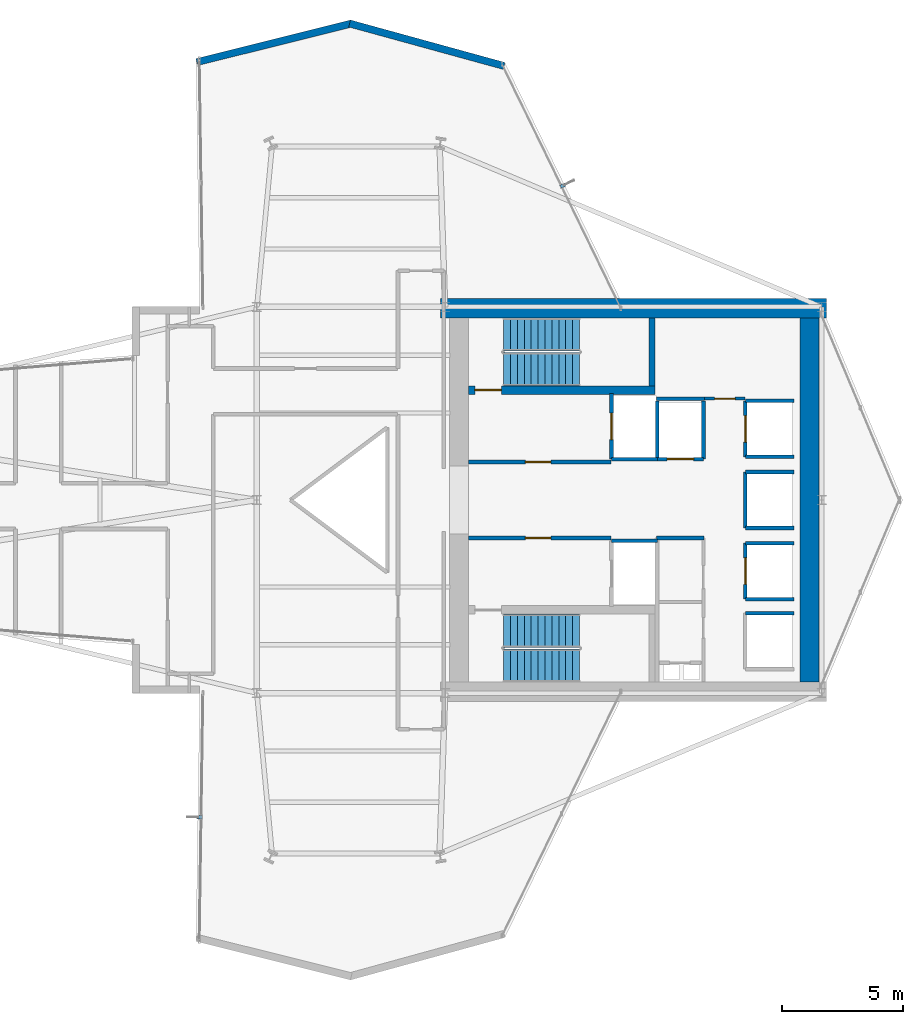
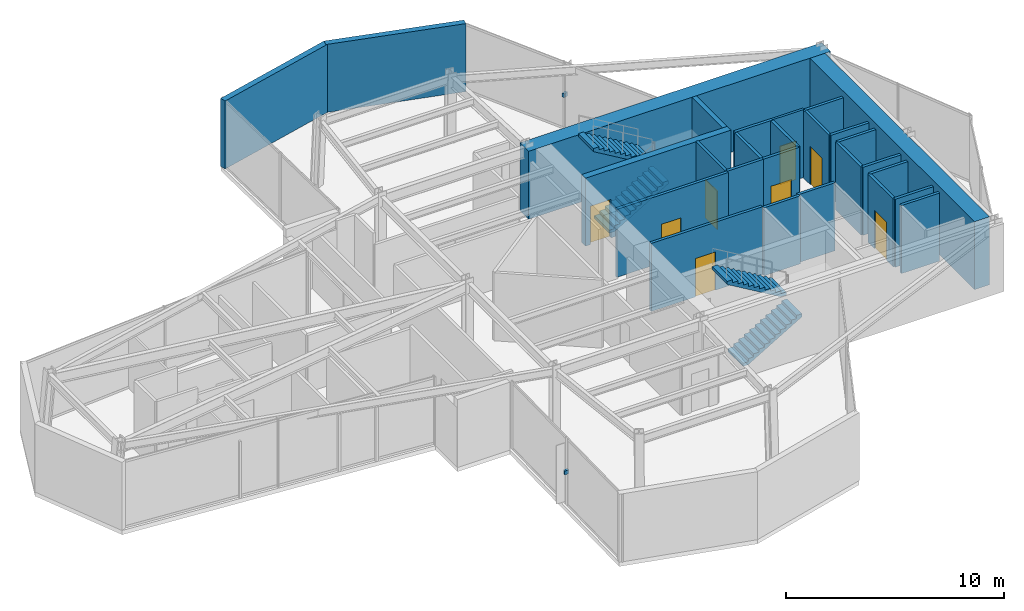
# One storey, part 23 of 24: 27 walls, 8 doors, 4 stair flights, 2 discrete accessories, 8 openings, 2 elements without a shape of their own.
"""IFC4 building model written with IfcOpenShell, lengths in metres."""

import ifcopenshell
import ifcopenshell.guid

model = None  # the IFC model being written
_history = None  # IfcOwnerHistory: only IFC2X3 demands one
_inside = {}  # id of a spatial element -> (the spatial element, [elements in it])
_under = {}  # id of a project, library or spatial element -> (it, [spatial elements below it])
_declared = {}  # id of a project -> (the project, [libraries it declares])
_typed = {}  # id of a type object -> (the type object, [elements of that type])
_made_of = {}  # id of a material, layer set ... -> (it, [elements and type objects made of it])


def new_model(schema):
    """Start an empty IFC model of exactly this schema.

    Asked for "IFC4X3", IfcOpenShell would pick the latest addendum, in which some entities
    have other attributes; the version numbers below select the first issue.
    IFC2X3 requires an IfcOwnerHistory on every rooted entity: one is made here for all.
    """
    global model, _history
    if schema == "IFC4X3":
        model = ifcopenshell.file(schema_version=(4, 3, 0, 0))
    else:
        model = ifcopenshell.file(schema=schema)
    _inside.clear()
    _under.clear()
    _declared.clear()
    _typed.clear()
    _made_of.clear()
    _history = None
    if model.schema == "IFC2X3":
        org = make("IfcOrganization", Name="unknown")
        user = make(
            "IfcPersonAndOrganization",
            ThePerson=make("IfcPerson", FamilyName="unknown"),
            TheOrganization=org,
        )
        app = make(
            "IfcApplication",
            ApplicationDeveloper=org,
            Version="unknown",
            ApplicationFullName="unknown",
            ApplicationIdentifier="unknown",
        )
        _history = make(
            "IfcOwnerHistory",
            OwningUser=user,
            OwningApplication=app,
            ChangeAction="ADDED",
            CreationDate=0,
        )
    return model


def make(cls, **values):
    """One entity of the class cls with the attributes given. An attribute that is None is left unset."""
    return model.create_entity(
        cls, **{name: value for name, value in values.items() if value is not None}
    )


def rooted(cls, **values):
    """An entity with a GlobalId (a new one), such as an element, a storey or a relation."""
    return make(cls, GlobalId=ifcopenshell.guid.new(), OwnerHistory=_history, **values)


def si_unit(unit_type, name, prefix=None):
    """IfcSIUnit, for example si_unit("LENGTHUNIT", "METRE", prefix="MILLI")."""
    return make("IfcSIUnit", UnitType=unit_type, Prefix=prefix, Name=name)


def assignment(units):
    """IfcUnitAssignment: the units of a project."""
    return None if units is None else make("IfcUnitAssignment", Units=units)


def point(xyz):
    """IfcCartesianPoint."""
    return None if xyz is None else make("IfcCartesianPoint", Coordinates=xyz)


def direction(xyz):
    """IfcDirection."""
    return None if xyz is None else make("IfcDirection", DirectionRatios=xyz)


def frame(location, z_axis=None, x_axis=None):
    """IfcAxis2Placement3D, a coordinate frame: its origin and axes. An axis left out is left unset."""
    return make(
        "IfcAxis2Placement3D",
        Location=point(location),
        Axis=direction(z_axis),
        RefDirection=direction(x_axis),
    )


def frame_2d(location, x_axis=None):
    """IfcAxis2Placement2D, a coordinate frame in the plane: its origin and x axis."""
    return make(
        "IfcAxis2Placement2D", Location=point(location), RefDirection=direction(x_axis)
    )


def origin():
    """The frame at (0, 0, 0) with its axes left unset."""
    return frame((0.0, 0.0, 0.0))


def origin_2d():
    """The frame at (0, 0) in the plane with its x axis left unset."""
    return frame_2d((0.0, 0.0))


def place(relative_to, where):
    """IfcLocalPlacement: puts the frame where relative to a parent placement (None: the world)."""
    return make(
        "IfcLocalPlacement", PlacementRelTo=relative_to, RelativePlacement=where
    )


def context(
    kind, dimensions, precision=None, world=None, true_north=None, identifier=None
):
    """IfcGeometricRepresentationContext, for example the 3D "Model" context."""
    return make(
        "IfcGeometricRepresentationContext",
        ContextIdentifier=identifier,
        ContextType=kind,
        CoordinateSpaceDimension=dimensions,
        Precision=precision,
        WorldCoordinateSystem=world,
        TrueNorth=true_north,
    )


def subcontext(parent, identifier, kind, view, scale=None):
    """IfcGeometricRepresentationSubContext, for example "Body" below "Model"."""
    return make(
        "IfcGeometricRepresentationSubContext",
        ContextIdentifier=identifier,
        ContextType=kind,
        ParentContext=parent,
        TargetScale=scale,
        TargetView=view,
    )


def project(units=None, contexts=None):
    """IfcProject with its units and contexts."""
    return rooted(
        "IfcProject",
        Name="project",
        RepresentationContexts=contexts,
        UnitsInContext=assignment(units),
    )


def spatial(cls, under=None, at=None, **own):
    """A site, building, storey or space (cls), placed at a placement, below another one or the project."""
    s = rooted(cls, ObjectPlacement=at, **own)
    if under is not None:
        _under.setdefault(under.id(), (under, []))[1].append(s)
    return s


def polyline(points):
    """IfcPolyline through the points."""
    return make("IfcPolyline", Points=[point(p) for p in points])


def profile(cls, at=None, kind="AREA", **sizes):
    """A parametric profile (cls). Its sizes go by their IFC names, for example OverallWidth=200.0."""
    return make(cls, ProfileType=kind, Position=at, **sizes)


def rectangle(**sizes):
    """IfcRectangleProfileDef."""
    return profile("IfcRectangleProfileDef", **sizes)


def outline(outer, holes=None, kind="AREA"):
    """IfcArbitraryClosedProfileDef: a profile drawn as a closed curve; with holes, ...WithVoids."""
    if holes is None:
        return make("IfcArbitraryClosedProfileDef", ProfileType=kind, OuterCurve=outer)
    return make(
        "IfcArbitraryProfileDefWithVoids",
        ProfileType=kind,
        OuterCurve=outer,
        InnerCurves=holes,
    )


def extrude(swept, where, along, depth):
    """IfcExtrudedAreaSolid: the profile swept, set in the frame where, extruded along a direction by depth."""
    return make(
        "IfcExtrudedAreaSolid",
        SweptArea=swept,
        Position=where,
        ExtrudedDirection=direction(along),
        Depth=depth,
    )


def shape(context_of_items, identifier, shape_type, items):
    """IfcShapeRepresentation: the items that make up one representation, for example the "Body"."""
    return make(
        "IfcShapeRepresentation",
        ContextOfItems=context_of_items,
        RepresentationIdentifier=identifier,
        RepresentationType=shape_type,
        Items=items,
    )


def material(Name=None, Category=None):
    """IfcMaterial."""
    return make("IfcMaterial", Name=Name, Category=Category)


def layer(
    of_material, thickness, ventilated=None, Name=None, Category=None, Priority=None
):
    """IfcMaterialLayer: one layer of a wall or slab, of a material (None: an air gap)."""
    return make(
        "IfcMaterialLayer",
        Material=of_material,
        LayerThickness=thickness,
        IsVentilated=ventilated,
        Name=Name,
        Category=Category,
        Priority=Priority,
    )


def layer_set(layers, Name=None):
    """IfcMaterialLayerSet."""
    return make("IfcMaterialLayerSet", MaterialLayers=layers, LayerSetName=Name)


def made_of(thing, what):
    """Note that an element or type object is made of a material, layer set ...; save() writes the relation."""
    if what is not None:
        _made_of.setdefault(what.id(), (what, []))[1].append(thing)
    return thing


def type_object(cls, material=None, **own):
    """A type object (cls), such as IfcWallType, which elements share."""
    return made_of(rooted(cls, **own), material)


def element(
    cls,
    number,
    at=None,
    inside=None,
    cuts=None,
    type_object=None,
    material=None,
    context=None,
    identifier="Body",
    shape_type=None,
    held_by="IfcProductDefinitionShape",
    body=None,
    shapes=None,
    **own,
):
    """One element of the class cls, such as IfcWall. Its Tag is "e" and its number.

    at: its placement. inside: the storey or other place that contains it. cuts: it is an
    opening in that element (IfcRelVoidsElement). A single representation is given by context,
    identifier, shape_type and body (its items); several are given by shapes. held_by: the class
    of the entity that holds the representations. save() writes the other relations.
    """
    e = rooted(cls, Tag="e%d" % number, ObjectPlacement=at, **own)
    if body is not None:
        shapes = [shape(context, identifier, shape_type, body)]
    if shapes is not None:
        e.Representation = make(held_by, Representations=shapes)
    if inside is not None:
        _inside.setdefault(inside.id(), (inside, []))[1].append(e)
    if cuts is not None:
        rooted(
            "IfcRelVoidsElement", RelatingBuildingElement=cuts, RelatedOpeningElement=e
        )
    if type_object is not None:
        _typed.setdefault(type_object.id(), (type_object, []))[1].append(e)
    return made_of(e, material)


def fill(opening, filler):
    """IfcRelFillsElement: the door or window that sits in an opening."""
    return rooted(
        "IfcRelFillsElement",
        RelatingOpeningElement=opening,
        RelatedBuildingElement=filler,
    )


def aggregate(whole, parts):
    """IfcRelAggregates: a whole, such as a stair, and the parts it consists of."""
    return rooted("IfcRelAggregates", RelatingObject=whole, RelatedObjects=parts)


def save(model, path):
    """Write the relations noted so far, then the file.

    IfcRelAggregates (storeys below a building ...), IfcRelContainedInSpatialStructure (elements
    in a storey), IfcRelDefinesByType, IfcRelAssociatesMaterial and IfcRelDeclares: one each for
    every whole, place, type object, material and project.
    """
    for whole, parts in _under.values():
        aggregate(whole, parts)
    for where, things in _inside.values():
        rooted(
            "IfcRelContainedInSpatialStructure",
            RelatedElements=things,
            RelatingStructure=where,
        )
    for kind, things in _typed.values():
        rooted("IfcRelDefinesByType", RelatedObjects=things, RelatingType=kind)
    for what, things in _made_of.values():
        rooted("IfcRelAssociatesMaterial", RelatedObjects=things, RelatingMaterial=what)
    for by, libraries in _declared.values():
        rooted("IfcRelDeclares", RelatingContext=by, RelatedDefinitions=libraries)
    model.write(path)


model = new_model("IFC4")

# Units and contexts
model_context = context("Model", 3, precision=1e-05, world=origin(), true_north=direction((0.0, 1.0)))
body_context = subcontext(model_context, "Body", "Model", "MODEL_VIEW")
ifc_project = project(units=[si_unit("LENGTHUNIT", "METRE"), si_unit("AREAUNIT", "SQUARE_METRE"), si_unit("VOLUMEUNIT", "CUBIC_METRE"), si_unit("PLANEANGLEUNIT", "RADIAN"), si_unit("MASSUNIT", "GRAM", prefix="KILO")], contexts=[model_context])

# Site, building, storey
site_placement = place(None, origin())
site = spatial("IfcSite", under=ifc_project, at=site_placement, CompositionType="ELEMENT")
building_placement = place(site_placement, origin())
building = spatial("IfcBuilding", under=site, at=building_placement, Name="Veymaron Broadcast Tower", CompositionType="ELEMENT")
storey_placement = place(building_placement, frame((0.0, 0.0, 124.949951171875)))
storey = spatial("IfcBuildingStorey", under=building, at=storey_placement, Name="L28", CompositionType="ELEMENT", Elevation=124.949951171875)

# Walls
ifc_material_1 = material(Name="Precast concrete C40/50 with mineral-wool insulation", Category="concrete")
ifc_layer_1 = layer(ifc_material_1, 0.300048828125)
ifc_layer_set_1 = layer_set([ifc_layer_1], Name="Precast concrete C40/50 with mineral-wool insulation")
wall_type_1 = type_object("IfcWallType", Name="WALL-EXT-300", PredefinedType="STANDARD", material=ifc_layer_set_1)
wall_1_placement = place(storey_placement, frame((41.445068359375, 41.985107421875, 0.0), z_axis=(0.0, 0.0, 1.0), x_axis=(-0.96422724659, 0.265077001894, 0.0)))
element("IfcWall", 1, at=wall_1_placement, inside=storey, type_object=wall_type_1, Name="L28 notched corner facade pier 6-1", PredefinedType="STANDARD", context=body_context, shape_type="SweptSolid", body=[
    extrude(rectangle(XDim=6.6396484375, YDim=0.300048828125, at=frame_2d((3.31982421875, 0.0))), origin(), (0.0, 0.0, 1.0), 3.81005859375),
])
wall_2_placement = place(storey_placement, frame((35.114013671875, 43.744140625, 0.0), z_axis=(0.0, 0.0, 1.0), x_axis=(-0.970168608955, -0.242431165897, 0.0)))
element("IfcWall", 2, at=wall_2_placement, inside=storey, type_object=wall_type_1, Name="L28 notched corner facade pier 7-1", PredefinedType="STANDARD", context=body_context, shape_type="SweptSolid", body=[
    extrude(rectangle(XDim=6.59912109375, YDim=0.300048828125, at=frame_2d((3.299560546875, 0.0))), origin(), (0.0, 0.0, 1.0), 3.81005859375),
])

# Wall, opening, door
ifc_material_2 = material(Name="Gypsum fireboard and steel stud framing", Category="steel")
ifc_layer_2 = layer(ifc_material_2, 0.14990234375)
ifc_layer_set_2 = layer_set([ifc_layer_2], Name="Gypsum fireboard and steel stud framing")
wall_type_2 = type_object("IfcWallType", Name="WALL-FIRE-150", PredefinedType="PARTITIONING", material=ifc_layer_set_2)
wall_3_placement = place(storey_placement, frame((39.97998046875, 25.574951171875, 0.0), z_axis=(0.0, 0.0, 1.0), x_axis=(1.0, 0.0, 0.0)))
wall_3 = element("IfcWall", 3, at=wall_3_placement, inside=storey, type_object=wall_type_2, Name="L28 partition IW-L28-FFLN-S", PredefinedType="PARTITIONING", context=body_context, shape_type="SweptSolid", body=[
    extrude(rectangle(XDim=5.89990234375, YDim=0.14990234375, at=frame_2d((2.949951171875, 0.0))), origin(), (0.0, 0.0, 1.0), 3.81005859375),
])
opening_1_placement = place(wall_3_placement, frame((2.35009765625, 0.0, 0.0)))
opening_1 = element("IfcOpeningElement", 4, at=opening_1_placement, cuts=wall_3, Name="Opening ID-FL1", PredefinedType="OPENING", context=body_context, shape_type="SweptSolid", body=[
    extrude(rectangle(XDim=1.050048828125, YDim=2.14990234375, at=frame_2d((0.52490234375, 1.074951171875))), frame((0.0, 0.0849609375, 0.0), z_axis=(0.0, -1.0, 0.0), x_axis=(1.0, 0.0, 0.0)), (0.0, 0.0, 1.0), 0.169921875),
])
ifc_material_3 = material(Name="Fire-rated painted hollow steel ASTM A653", Category="steel")
door_type_1 = type_object("IfcDoorType", Name="DOOR-FIRE-1050", OperationType="NOTDEFINED", PredefinedType="DOOR", material=ifc_material_3)
door_1_placement = place(opening_1_placement, origin())
door_1 = element("IfcDoor", 5, at=door_1_placement, inside=storey, type_object=door_type_1, Name="L28 door DR-L28-FFLN", OperationType="SINGLE_SWING_LEFT", OverallHeight=2.14990234375, OverallWidth=1.050048828125, PredefinedType="DOOR", context=body_context, shape_type="SweptSolid", body=[
    extrude(rectangle(XDim=1.050048828125, YDim=2.14990234375, at=frame_2d((0.52490234375, 1.074951171875))), frame((0.0, 0.02490234375, 0.0), z_axis=(0.0, -1.0, 0.0), x_axis=(1.0, 0.0, 0.0)), (0.0, 0.0, 1.0), 0.050048828125),
])
fill(opening_1, door_1)

wall_4_placement = place(storey_placement, frame((39.97998046875, 22.425048828125, 0.0), z_axis=(0.0, 0.0, 1.0), x_axis=(1.0, 0.0, 0.0)))
wall_4 = element("IfcWall", 6, at=wall_4_placement, inside=storey, type_object=wall_type_2, Name="L28 partition IW-L28-FFLS-N", PredefinedType="PARTITIONING", context=body_context, shape_type="SweptSolid", body=[
    extrude(rectangle(XDim=5.89990234375, YDim=0.14990234375, at=frame_2d((2.949951171875, 0.0))), origin(), (0.0, 0.0, 1.0), 3.81005859375),
])
opening_2_placement = place(wall_4_placement, frame((2.35009765625, 0.0, 0.0)))
opening_2 = element("IfcOpeningElement", 7, at=opening_2_placement, cuts=wall_4, Name="Opening ID-FL1", PredefinedType="OPENING", context=body_context, shape_type="SweptSolid", body=[
    extrude(rectangle(XDim=1.050048828125, YDim=2.14990234375, at=frame_2d((0.52490234375, 1.074951171875))), frame((0.0, 0.0849609375, 0.0), z_axis=(0.0, -1.0, 0.0), x_axis=(1.0, 0.0, 0.0)), (0.0, 0.0, 1.0), 0.169921875),
])
door_2_placement = place(opening_2_placement, frame((1.050048828125, 0.0, 0.0), z_axis=(0.0, 0.0, 1.0), x_axis=(-1.0, 0.0, 0.0)))
door_2 = element("IfcDoor", 8, at=door_2_placement, inside=storey, type_object=door_type_1, Name="L28 door DR-L28-FFLS", OperationType="SINGLE_SWING_RIGHT", OverallHeight=2.14990234375, OverallWidth=1.050048828125, PredefinedType="DOOR", context=body_context, shape_type="SweptSolid", body=[
    extrude(rectangle(XDim=1.050048828125, YDim=2.14990234375, at=frame_2d((0.52490234375, 1.074951171875))), frame((0.0, 0.02490234375, 0.0), z_axis=(0.0, -1.0, 0.0), x_axis=(1.0, 0.0, 0.0)), (0.0, 0.0, 1.0), 0.050048828125),
])
fill(opening_2, door_2)

wall_5_placement = place(storey_placement, frame((45.89501953125, 25.68994140625, 0.0), z_axis=(0.0, 0.0, 1.0), x_axis=(0.0, 1.0, 0.0)))
wall_5 = element("IfcWall", 9, at=wall_5_placement, inside=storey, type_object=wall_type_2, Name="L28 partition IW-L28-SHW-FFL-1", PredefinedType="PARTITIONING", context=body_context, shape_type="SweptSolid", body=[
    extrude(rectangle(XDim=2.719970703125, YDim=0.14990234375, at=frame_2d((1.35986328125, 0.0))), origin(), (0.0, 0.0, 1.0), 3.81005859375),
])
opening_3_placement = place(wall_5_placement, frame((0.81005859375, 0.0, 0.0)))
opening_3 = element("IfcOpeningElement", 10, at=opening_3_placement, cuts=wall_5, Name="Opening LD", PredefinedType="OPENING", context=body_context, shape_type="SweptSolid", body=[
    extrude(rectangle(XDim=1.10009765625, YDim=2.14990234375, at=frame_2d((0.550048828125, 1.074951171875))), frame((0.0, 0.0849609375, 0.0), z_axis=(0.0, -1.0, 0.0), x_axis=(1.0, 0.0, 0.0)), (0.0, 0.0, 1.0), 0.169921875),
])
ifc_material_4 = material(Name="Brushed stainless steel AISI 304", Category="steel")
door_type_2 = type_object("IfcDoorType", Name="DOOR-LIFT-1100", OperationType="DOUBLE_DOOR_SLIDING", PredefinedType="DOOR", material=ifc_material_4)
door_3_placement = place(opening_3_placement, frame((1.10009765625, 0.0, 0.0), z_axis=(0.0, 0.0, 1.0), x_axis=(-1.0, 0.0, 0.0)))
door_3 = element("IfcDoor", 11, at=door_3_placement, inside=storey, type_object=door_type_2, Name="L28 door LD-L28-FFL-1", OperationType="DOUBLE_DOOR_SLIDING", OverallHeight=2.14990234375, OverallWidth=1.10009765625, PredefinedType="DOOR", context=body_context, shape_type="SweptSolid", body=[
    extrude(rectangle(XDim=1.10009765625, YDim=2.14990234375, at=frame_2d((0.550048828125, 1.074951171875))), frame((0.0, 0.02490234375, 0.0), z_axis=(0.0, -1.0, 0.0), x_axis=(1.0, 0.0, 0.0)), (0.0, 0.0, 1.0), 0.050048828125),
])
fill(opening_3, door_3)

# Walls
for number, where, z_axis, x_axis, name in (
    (12, (45.89501953125, 25.68994140625, 0.0), (0.0, 0.0, 1.0), (1.0, 0.0, 0.0), "L28 partition IW-L28-SHS-FFL-1"),
    (13, (45.89501953125, 22.31005859375, 0.0), (0.0, 0.0, 1.0), (1.0, 0.0, 0.0), "L28 partition IW-L28-SHN-FFL-2"),
):
    element("IfcWall", number, at=place(storey_placement, frame(where, z_axis=z_axis, x_axis=x_axis)), inside=storey, type_object=wall_type_2, Name=name, PredefinedType="PARTITIONING", context=body_context, shape_type="SweptSolid", body=[
        extrude(rectangle(XDim=1.9150390625, YDim=0.14990234375, at=frame_2d((0.95751953125, 0.0))), origin(), (0.0, 0.0, 1.0), 3.81005859375),
    ])

# Wall, opening, door
wall_6_placement = place(storey_placement, frame((47.7900390625, 25.695068359375, 0.0), z_axis=(0.0, 0.0, 1.0), x_axis=(1.0, 0.0, 0.0)))
wall_6 = element("IfcWall", 14, at=wall_6_placement, inside=storey, type_object=wall_type_2, Name="L28 partition IW-L28-SHS-SL-1", PredefinedType="PARTITIONING", context=body_context, shape_type="SweptSolid", body=[
    extrude(rectangle(XDim=1.919921875, YDim=0.14990234375, at=frame_2d((0.9599609375, 0.0))), origin(), (0.0, 0.0, 1.0), 3.81005859375),
])
opening_4_placement = place(wall_6_placement, frame((0.409912109375, 0.0, 0.0)))
opening_4 = element("IfcOpeningElement", 15, at=opening_4_placement, cuts=wall_6, Name="Opening LD", PredefinedType="OPENING", context=body_context, shape_type="SweptSolid", body=[
    extrude(rectangle(XDim=1.10009765625, YDim=2.14990234375, at=frame_2d((0.550048828125, 1.074951171875))), frame((0.0, 0.0849609375, 0.0), z_axis=(0.0, -1.0, 0.0), x_axis=(1.0, 0.0, 0.0)), (0.0, 0.0, 1.0), 0.169921875),
])
door_4_placement = place(opening_4_placement, frame((1.10009765625, 0.0, 0.0), z_axis=(0.0, 0.0, 1.0), x_axis=(-1.0, 0.0, 0.0)))
door_4 = element("IfcDoor", 16, at=door_4_placement, inside=storey, type_object=door_type_2, Name="L28 door LD-L28-SL-1", OperationType="DOUBLE_DOOR_SLIDING", OverallHeight=2.14990234375, OverallWidth=1.10009765625, PredefinedType="DOOR", context=body_context, shape_type="SweptSolid", body=[
    extrude(rectangle(XDim=1.10009765625, YDim=2.14990234375, at=frame_2d((0.550048828125, 1.074951171875))), frame((0.0, 0.02490234375, 0.0), z_axis=(0.0, -1.0, 0.0), x_axis=(1.0, 0.0, 0.0)), (0.0, 0.0, 1.0), 0.050048828125),
])
fill(opening_4, door_4)

# Walls
for number, where, z_axis, x_axis, name in (
    (17, (47.7900390625, 25.695068359375, 0.0), (0.0, 0.0, 1.0), (0.0, 1.0, 0.0), "L28 partition IW-L28-SHW-SL-1"),
    (18, (49.7099609375, 25.695068359375, 0.0), (0.0, 0.0, 1.0), (0.0, 1.0, 0.0), "L28 partition IW-L28-SHE-SL-1"),
):
    element("IfcWall", number, at=place(storey_placement, frame(where, z_axis=z_axis, x_axis=x_axis)), inside=storey, type_object=wall_type_2, Name=name, PredefinedType="PARTITIONING", context=body_context, shape_type="SweptSolid", body=[
        extrude(rectangle(XDim=2.4150390625, YDim=0.14990234375, at=frame_2d((1.20751953125, 0.0))), origin(), (0.0, 0.0, 1.0), 3.81005859375),
    ])

# Wall, opening, door
wall_7_placement = place(storey_placement, frame((51.445068359375, 25.7900390625, 0.0), z_axis=(0.0, 0.0, 1.0), x_axis=(0.0, 1.0, 0.0)))
wall_7 = element("IfcWall", 19, at=wall_7_placement, inside=storey, type_object=wall_type_2, Name="L28 partition IW-L28-SHW-PM1", PredefinedType="PARTITIONING", context=body_context, shape_type="SweptSolid", body=[
    extrude(rectangle(XDim=2.320068359375, YDim=0.14990234375, at=frame_2d((1.16015625, 0.0))), origin(), (0.0, 0.0, 1.0), 3.81005859375),
])
opening_5_placement = place(wall_7_placement, frame((0.610107421875, 0.0, 0.0)))
opening_5 = element("IfcOpeningElement", 20, at=opening_5_placement, cuts=wall_7, Name="Opening LD", PredefinedType="OPENING", context=body_context, shape_type="SweptSolid", body=[
    extrude(rectangle(XDim=1.10009765625, YDim=2.14990234375, at=frame_2d((0.550048828125, 1.074951171875))), frame((0.0, 0.0849609375, 0.0), z_axis=(0.0, -1.0, 0.0), x_axis=(1.0, 0.0, 0.0)), (0.0, 0.0, 1.0), 0.169921875),
])
door_5_placement = place(opening_5_placement, frame((1.10009765625, 0.0, 0.0), z_axis=(0.0, 0.0, 1.0), x_axis=(-1.0, 0.0, 0.0)))
door_5 = element("IfcDoor", 21, at=door_5_placement, inside=storey, type_object=door_type_2, Name="L28 door LD-L28-PM1", OperationType="DOUBLE_DOOR_SLIDING", OverallHeight=2.14990234375, OverallWidth=1.10009765625, PredefinedType="DOOR", context=body_context, shape_type="SweptSolid", body=[
    extrude(rectangle(XDim=1.10009765625, YDim=2.14990234375, at=frame_2d((0.550048828125, 1.074951171875))), frame((0.0, 0.02490234375, 0.0), z_axis=(0.0, -1.0, 0.0), x_axis=(1.0, 0.0, 0.0)), (0.0, 0.0, 1.0), 0.050048828125),
])
fill(opening_5, door_5)

# Walls
for number, where, z_axis, x_axis, name in (
    (22, (51.445068359375, 25.7900390625, 0.0), (0.0, 0.0, 1.0), (1.0, 0.0, 0.0), "L28 partition IW-L28-SHS-PM1"),
    (23, (51.445068359375, 28.110107421875, 0.0), (0.0, 0.0, 1.0), (1.0, 0.0, 0.0), "L28 partition IW-L28-SHN-PM1"),
):
    element("IfcWall", number, at=place(storey_placement, frame(where, z_axis=z_axis, x_axis=x_axis)), inside=storey, type_object=wall_type_2, Name=name, PredefinedType="PARTITIONING", context=body_context, shape_type="SweptSolid", body=[
        extrude(rectangle(XDim=2.014892578125, YDim=0.14990234375, at=frame_2d((1.00732421875, 0.0))), origin(), (0.0, 0.0, 1.0), 3.81005859375),
    ])

# Wall, opening, door
wall_8_placement = place(storey_placement, frame((51.445068359375, 19.889892578125, 0.0), z_axis=(0.0, 0.0, 1.0), x_axis=(0.0, 1.0, 0.0)))
wall_8 = element("IfcWall", 24, at=wall_8_placement, inside=storey, type_object=wall_type_2, Name="L28 partition IW-L28-SHW-PM2", PredefinedType="PARTITIONING", context=body_context, shape_type="SweptSolid", body=[
    extrude(rectangle(XDim=2.320068359375, YDim=0.14990234375, at=frame_2d((1.16015625, 0.0))), origin(), (0.0, 0.0, 1.0), 3.81005859375),
])
opening_6_placement = place(wall_8_placement, frame((0.610107421875, 0.0, 0.0)))
opening_6 = element("IfcOpeningElement", 25, at=opening_6_placement, cuts=wall_8, Name="Opening LD", PredefinedType="OPENING", context=body_context, shape_type="SweptSolid", body=[
    extrude(rectangle(XDim=1.10009765625, YDim=2.14990234375, at=frame_2d((0.550048828125, 1.074951171875))), frame((0.0, 0.0849609375, 0.0), z_axis=(0.0, -1.0, 0.0), x_axis=(1.0, 0.0, 0.0)), (0.0, 0.0, 1.0), 0.169921875),
])
door_6_placement = place(opening_6_placement, frame((1.10009765625, 0.0, 0.0), z_axis=(0.0, 0.0, 1.0), x_axis=(-1.0, 0.0, 0.0)))
door_6 = element("IfcDoor", 26, at=door_6_placement, inside=storey, type_object=door_type_2, Name="L28 door LD-L28-PM2", OperationType="DOUBLE_DOOR_SLIDING", OverallHeight=2.14990234375, OverallWidth=1.10009765625, PredefinedType="DOOR", context=body_context, shape_type="SweptSolid", body=[
    extrude(rectangle(XDim=1.10009765625, YDim=2.14990234375, at=frame_2d((0.550048828125, 1.074951171875))), frame((0.0, 0.02490234375, 0.0), z_axis=(0.0, -1.0, 0.0), x_axis=(1.0, 0.0, 0.0)), (0.0, 0.0, 1.0), 0.050048828125),
])
fill(opening_6, door_6)

# Walls
for number, where, z_axis, x_axis, name in (
    (27, (51.445068359375, 19.889892578125, 0.0), (0.0, 0.0, 1.0), (1.0, 0.0, 0.0), "L28 partition IW-L28-SHS-PM2"),
    (28, (51.445068359375, 22.2099609375, 0.0), (0.0, 0.0, 1.0), (1.0, 0.0, 0.0), "L28 partition IW-L28-SHN-PM2"),
):
    element("IfcWall", number, at=place(storey_placement, frame(where, z_axis=z_axis, x_axis=x_axis)), inside=storey, type_object=wall_type_2, Name=name, PredefinedType="PARTITIONING", context=body_context, shape_type="SweptSolid", body=[
        extrude(rectangle(XDim=2.014892578125, YDim=0.14990234375, at=frame_2d((1.00732421875, 0.0))), origin(), (0.0, 0.0, 1.0), 3.81005859375),
    ])
wall_9_placement = place(storey_placement, frame((51.445068359375, 22.840087890625, 0.0), z_axis=(0.0, 0.0, 1.0), x_axis=(0.0, 1.0, 0.0)))
element("IfcWall", 29, at=wall_9_placement, inside=storey, type_object=wall_type_2, Name="L28 partition IW-L28-SHW-PM3", PredefinedType="PARTITIONING", context=body_context, shape_type="SweptSolid", body=[
    extrude(rectangle(XDim=2.31982421875, YDim=0.14990234375, at=frame_2d((1.159912109375, 0.0))), origin(), (0.0, 0.0, 1.0), 3.81005859375),
])
for number, where, z_axis, x_axis, name in (
    (30, (51.445068359375, 22.840087890625, 0.0), (0.0, 0.0, 1.0), (1.0, 0.0, 0.0), "L28 partition IW-L28-SHS-PM3"),
    (31, (51.445068359375, 25.159912109375, 0.0), (0.0, 0.0, 1.0), (1.0, 0.0, 0.0), "L28 partition IW-L28-SHN-PM3"),
    (32, (51.445068359375, 19.31005859375, 0.0), (0.0, 0.0, 1.0), (1.0, 0.0, 0.0), "L28 partition IW-L28-SHN-PH1"),
):
    element("IfcWall", number, at=place(storey_placement, frame(where, z_axis=z_axis, x_axis=x_axis)), inside=storey, type_object=wall_type_2, Name=name, PredefinedType="PARTITIONING", context=body_context, shape_type="SweptSolid", body=[
        extrude(rectangle(XDim=2.014892578125, YDim=0.14990234375, at=frame_2d((1.00732421875, 0.0))), origin(), (0.0, 0.0, 1.0), 3.81005859375),
    ])
wall_10_placement = place(storey_placement, frame((47.760009765625, 22.425048828125, 0.0), z_axis=(0.0, 0.0, 1.0), x_axis=(1.0, 0.0, 0.0)))
element("IfcWall", 33, at=wall_10_placement, inside=storey, type_object=wall_type_2, Name="L28 partition IW-L28-SM-N", PredefinedType="PARTITIONING", context=body_context, shape_type="SweptSolid", body=[
    extrude(rectangle(XDim=1.9599609375, YDim=0.14990234375, at=frame_2d((0.97998046875, 0.0))), origin(), (0.0, 0.0, 1.0), 3.81005859375),
])
wall_11_placement = place(storey_placement, frame((47.760009765625, 28.199951171875, 0.0), z_axis=(0.0, 0.0, 1.0), x_axis=(1.0, 0.0, 0.0)))
element("IfcWall", 34, at=wall_11_placement, inside=storey, type_object=wall_type_2, Name="L28 partition IW-L28-F1-SW", PredefinedType="PARTITIONING", context=body_context, shape_type="SweptSolid", body=[
    extrude(rectangle(XDim=1.989990234375, YDim=0.14990234375, at=frame_2d((0.9951171875, 0.0))), origin(), (0.0, 0.0, 1.0), 3.81005859375),
])

# Wall, opening, door
ifc_material_5 = material(Name="Acoustic gypsum board and galvanized stud", Category="gypsum")
ifc_layer_3 = layer(ifc_material_5, 0.1201171875)
ifc_layer_set_3 = layer_set([ifc_layer_3], Name="Acoustic gypsum board and galvanized stud")
wall_type_3 = type_object("IfcWallType", Name="WALL-PART-120", PredefinedType="PARTITIONING", material=ifc_layer_set_3)
wall_12_placement = place(storey_placement, frame((49.75, 28.199951171875, 0.0), z_axis=(0.0, 0.0, 1.0), x_axis=(1.0, 0.0, 0.0)))
wall_12 = element("IfcWall", 35, at=wall_12_placement, inside=storey, type_object=wall_type_3, Name="L28 partition IW-L28-F1-S", PredefinedType="PARTITIONING", context=body_context, shape_type="SweptSolid", body=[
    extrude(rectangle(XDim=1.669921875, YDim=0.1201171875, at=frame_2d((0.8349609375, 0.0))), origin(), (0.0, 0.0, 1.0), 3.81005859375),
])
opening_7_placement = place(wall_12_placement, frame((0.419921875, 0.0, 0.0)))
opening_7 = element("IfcOpeningElement", 36, at=opening_7_placement, cuts=wall_12, Name="Opening ID-WC1", PredefinedType="OPENING", context=body_context, shape_type="SweptSolid", body=[
    extrude(rectangle(XDim=0.85009765625, YDim=2.14990234375, at=frame_2d((0.425048828125, 1.074951171875))), frame((0.0, 0.070068359375, 0.0), z_axis=(0.0, -1.0, 0.0), x_axis=(1.0, 0.0, 0.0)), (0.0, 0.0, 1.0), 0.14013671875),
])
ifc_material_6 = material(Name="Moisture-resistant high-pressure laminate timber", Category="wood")
door_type_3 = type_object("IfcDoorType", Name="DOOR-INT-850", OperationType="NOTDEFINED", PredefinedType="DOOR", material=ifc_material_6)
door_7_placement = place(opening_7_placement, origin())
door_7 = element("IfcDoor", 37, at=door_7_placement, inside=storey, type_object=door_type_3, Name="L28 door DR-L28-F1A", OperationType="SINGLE_SWING_LEFT", OverallHeight=2.14990234375, OverallWidth=0.85009765625, PredefinedType="DOOR", context=body_context, shape_type="SweptSolid", body=[
    extrude(rectangle(XDim=0.85009765625, YDim=2.14990234375, at=frame_2d((0.425048828125, 1.074951171875))), frame((0.0, 0.02490234375, 0.0), z_axis=(0.0, -1.0, 0.0), x_axis=(1.0, 0.0, 0.0)), (0.0, 0.0, 1.0), 0.050048828125),
])
fill(opening_7, door_7)

# Wall
ifc_material_7 = material(Name="Concrete C50/60", Category="concrete")
ifc_layer_4 = layer(ifc_material_7, 0.25)
ifc_layer_set_4 = layer_set([ifc_layer_4], Name="Concrete C50/60")
wall_type_4 = type_object("IfcWallType", Name="WALL-SHEAR-250", PredefinedType="SHEAR", material=ifc_layer_set_4)
wall_13_placement = place(storey_placement, frame((47.56494140625, 28.72998046875, 0.0), z_axis=(0.0, 0.0, 1.0), x_axis=(0.0, 1.0, 0.0)))
element("IfcWall", 38, at=wall_13_placement, inside=storey, type_object=wall_type_4, Name="L28 Core Wall north stair east shear", PredefinedType="SHEAR", context=body_context, shape_type="SweptSolid", body=[
    extrude(rectangle(XDim=2.820068359375, YDim=0.25, at=frame_2d((1.41015625, 0.0))), origin(), (0.0, 0.0, 1.0), 3.81005859375),
])

# Wall, opening, door
ifc_layer_5 = layer(ifc_material_7, 0.35009765625)
ifc_layer_set_5 = layer_set([ifc_layer_5], Name="Concrete C50/60")
wall_type_5 = type_object("IfcWallType", Name="WALL-SHEAR-350", PredefinedType="SHEAR", material=ifc_layer_set_5)
wall_14_placement = place(storey_placement, frame((39.97998046875, 28.554931640625, 0.0), z_axis=(0.0, 0.0, 1.0), x_axis=(1.0, 0.0, 0.0)))
wall_14 = element("IfcWall", 39, at=wall_14_placement, inside=storey, type_object=wall_type_5, Name="L28 Core Wall north stair spine", PredefinedType="SHEAR", context=body_context, shape_type="SweptSolid", body=[
    extrude(rectangle(XDim=7.7099609375, YDim=0.35009765625, at=frame_2d((3.85498046875, 0.0))), origin(), (0.0, 0.0, 1.0), 3.81005859375),
])
opening_8_placement = place(wall_14_placement, frame((0.25, 0.0, 0.0)))
opening_8 = element("IfcOpeningElement", 40, at=opening_8_placement, cuts=wall_14, Name="Opening ID-ST1", PredefinedType="OPENING", context=body_context, shape_type="SweptSolid", body=[
    extrude(rectangle(XDim=1.10009765625, YDim=2.14990234375, at=frame_2d((0.550048828125, 1.074951171875))), frame((0.0, 0.18505859375, 0.0), z_axis=(0.0, -1.0, 0.0), x_axis=(1.0, 0.0, 0.0)), (0.0, 0.0, 1.0), 0.3701171875),
])
door_type_4 = type_object("IfcDoorType", Name="DOOR-STAIR-1100", OperationType="NOTDEFINED", PredefinedType="DOOR", material=ifc_material_3)
door_8_placement = place(opening_8_placement, origin())
door_8 = element("IfcDoor", 41, at=door_8_placement, inside=storey, type_object=door_type_4, Name="L28 exit stair ST1 fire door", OperationType="SINGLE_SWING_LEFT", OverallHeight=2.14990234375, OverallWidth=1.10009765625, PredefinedType="DOOR", context=body_context, shape_type="SweptSolid", body=[
    extrude(rectangle(XDim=1.10009765625, YDim=2.14990234375, at=frame_2d((0.550048828125, 1.074951171875))), frame((0.0, 0.02490234375, 0.0), z_axis=(0.0, -1.0, 0.0), x_axis=(1.0, 0.0, 0.0)), (0.0, 0.0, 1.0), 0.050048828125),
])
fill(opening_8, door_8)

# Walls
ifc_material_8 = material(Name="Concrete C60/75", Category="concrete")
ifc_layer_6 = layer(ifc_material_8, 0.800048828125)
ifc_layer_set_6 = layer_set([ifc_layer_6], Name="Concrete C60/75")
wall_type_6 = type_object("IfcWallType", Name="WALL-SHEAR-800", PredefinedType="SHEAR", material=ifc_layer_set_6)
wall_15_placement = place(storey_placement, frame((38.800048828125, 31.949951171875, 0.0), z_axis=(0.0, 0.0, 1.0), x_axis=(1.0, 0.0, 0.0)))
element("IfcWall", 42, at=wall_15_placement, inside=storey, type_object=wall_type_6, Name="L28 Core Wall north shear", PredefinedType="SHEAR", context=body_context, shape_type="SweptSolid", body=[
    extrude(rectangle(XDim=16.0, YDim=0.800048828125, at=frame_2d((8.0, 0.0))), origin(), (0.0, 0.0, 1.0), 3.81005859375),
])
wall_16_placement = place(storey_placement, frame((54.10009765625, 16.449951171875, 0.0), z_axis=(0.0, 0.0, 1.0), x_axis=(0.0, 1.0, 0.0)))
element("IfcWall", 43, at=wall_16_placement, inside=storey, type_object=wall_type_6, Name="L28 Core Wall east shear", PredefinedType="SHEAR", context=body_context, shape_type="SweptSolid", body=[
    extrude(rectangle(XDim=15.10009765625, YDim=0.800048828125, at=frame_2d((7.550048828125, 0.0))), origin(), (0.0, 0.0, 1.0), 3.81005859375),
])

# Stair, stair flights
stair_type_1 = type_object("IfcStairType", Name="STAIR-CORE-1", PredefinedType="HALF_TURN_STAIR", material=ifc_material_7)
stair_1_placement = place(storey_placement, origin())
stair_1 = element("IfcStair", 44, at=stair_1_placement, inside=storey, type_object=stair_type_1, Name="L28 North protected dog-leg exit stair ST1", PredefinedType="HALF_TURN_STAIR")
ifc_material_9 = material(Name="Precast concrete C50/60", Category="concrete")
stair_flight_type = type_object("IfcStairFlightType", Name="FLT-CORE-RC", PredefinedType="STRAIGHT", material=ifc_material_9)
stair_flight_1_placement = place(storey_placement, frame((41.429931640625, 29.419921875, 0.0), z_axis=(0.0, 0.0, 1.0), x_axis=(1.0, 0.0, 0.0)))
stair_flight_1 = element("IfcStairFlight", 45, at=stair_flight_1_placement, type_object=stair_flight_type, Name="ST1 flight 1", NumberOfRisers=12, NumberOfTreads=11, PredefinedType="STRAIGHT", RiserHeight=0.16875, TreadLength=0.285, context=body_context, shape_type="SweptSolid", body=[
    extrude(outline(polyline([(0.0, 0.0), (0.0, 0.168701171875), (0.284912109375, 0.168701171875), (0.284912109375, 0.33740234375), (0.570068359375, 0.33740234375), (0.570068359375, 0.50634765625), (0.85498046875, 0.50634765625), (0.85498046875, 0.675048828125), (1.139892578125, 0.675048828125), (1.139892578125, 0.84375), (1.425048828125, 0.84375), (1.425048828125, 1.012451171875), (1.7099609375, 1.012451171875), (1.7099609375, 1.18115234375), (1.9951171875, 1.18115234375), (1.9951171875, 1.35009765625), (2.280029296875, 1.35009765625), (2.280029296875, 1.518798828125), (2.56494140625, 1.518798828125), (2.56494140625, 1.6875), (2.85009765625, 1.6875), (2.85009765625, 1.856201171875), (3.135009765625, 1.856201171875), (3.135009765625, 2.02490234375), (3.135009765625, 1.68212890625), (0.294189453125, 0.0), (0.0, 0.0)])), frame((0.0, 0.68994140625, 0.0), z_axis=(0.0, -1.0, 0.0), x_axis=(1.0, 0.0, 0.0)), (0.0, 0.0, 1.0), 1.3798828125),
])
stair_flight_2_placement = place(storey_placement, frame((44.56494140625, 30.860107421875, 2.025146484375), z_axis=(0.0, 0.0, 1.0), x_axis=(-1.0, 0.0, 0.0)))
stair_flight_2 = element("IfcStairFlight", 46, at=stair_flight_2_placement, type_object=stair_flight_type, Name="ST1 flight 2", NumberOfRisers=12, NumberOfTreads=11, PredefinedType="STRAIGHT", RiserHeight=0.16875, TreadLength=0.285, context=body_context, shape_type="SweptSolid", body=[
    extrude(outline(polyline([(0.0, 0.0), (0.0, 0.168701171875), (0.284912109375, 0.168701171875), (0.284912109375, 0.33740234375), (0.570068359375, 0.33740234375), (0.570068359375, 0.50634765625), (0.85498046875, 0.50634765625), (0.85498046875, 0.675048828125), (1.139892578125, 0.675048828125), (1.139892578125, 0.84375), (1.425048828125, 0.84375), (1.425048828125, 1.012451171875), (1.7099609375, 1.012451171875), (1.7099609375, 1.18115234375), (1.9951171875, 1.18115234375), (1.9951171875, 1.35009765625), (2.280029296875, 1.35009765625), (2.280029296875, 1.518798828125), (2.56494140625, 1.518798828125), (2.56494140625, 1.6875), (2.85009765625, 1.6875), (2.85009765625, 1.856201171875), (3.135009765625, 1.856201171875), (3.135009765625, 2.02490234375), (3.135009765625, 1.68212890625), (0.294189453125, 0.0), (0.0, 0.0)])), frame((0.0, 0.68994140625, 0.0), z_axis=(0.0, -1.0, 0.0), x_axis=(1.0, 0.0, 0.0)), (0.0, 0.0, 1.0), 1.3798828125),
])
aggregate(stair_1, [stair_flight_1, stair_flight_2])

stair_type_2 = type_object("IfcStairType", Name="STAIR-CORE-2", PredefinedType="HALF_TURN_STAIR", material=ifc_material_7)
stair_2_placement = place(storey_placement, origin())
stair_2 = element("IfcStair", 47, at=stair_2_placement, inside=storey, type_object=stair_type_2, Name="L28 South protected dog-leg exit stair ST2", PredefinedType="HALF_TURN_STAIR")
stair_flight_3_placement = place(storey_placement, frame((41.429931640625, 17.139892578125, 0.0), z_axis=(0.0, 0.0, 1.0), x_axis=(1.0, 0.0, 0.0)))
stair_flight_3 = element("IfcStairFlight", 48, at=stair_flight_3_placement, type_object=stair_flight_type, Name="ST2 flight 1", NumberOfRisers=12, NumberOfTreads=11, PredefinedType="STRAIGHT", RiserHeight=0.16875, TreadLength=0.285, context=body_context, shape_type="SweptSolid", body=[
    extrude(outline(polyline([(0.0, 0.0), (0.0, 0.168701171875), (0.284912109375, 0.168701171875), (0.284912109375, 0.33740234375), (0.570068359375, 0.33740234375), (0.570068359375, 0.50634765625), (0.85498046875, 0.50634765625), (0.85498046875, 0.675048828125), (1.139892578125, 0.675048828125), (1.139892578125, 0.84375), (1.425048828125, 0.84375), (1.425048828125, 1.012451171875), (1.7099609375, 1.012451171875), (1.7099609375, 1.18115234375), (1.9951171875, 1.18115234375), (1.9951171875, 1.35009765625), (2.280029296875, 1.35009765625), (2.280029296875, 1.518798828125), (2.56494140625, 1.518798828125), (2.56494140625, 1.6875), (2.85009765625, 1.6875), (2.85009765625, 1.856201171875), (3.135009765625, 1.856201171875), (3.135009765625, 2.02490234375), (3.135009765625, 1.68212890625), (0.294189453125, 0.0), (0.0, 0.0)])), frame((0.0, 0.68994140625, 0.0), z_axis=(0.0, -1.0, 0.0), x_axis=(1.0, 0.0, 0.0)), (0.0, 0.0, 1.0), 1.3798828125),
])
stair_flight_4_placement = place(storey_placement, frame((44.56494140625, 18.580078125, 2.025146484375), z_axis=(0.0, 0.0, 1.0), x_axis=(-1.0, 0.0, 0.0)))
stair_flight_4 = element("IfcStairFlight", 49, at=stair_flight_4_placement, type_object=stair_flight_type, Name="ST2 flight 2", NumberOfRisers=12, NumberOfTreads=11, PredefinedType="STRAIGHT", RiserHeight=0.16875, TreadLength=0.285, context=body_context, shape_type="SweptSolid", body=[
    extrude(outline(polyline([(0.0, 0.0), (0.0, 0.168701171875), (0.284912109375, 0.168701171875), (0.284912109375, 0.33740234375), (0.570068359375, 0.33740234375), (0.570068359375, 0.50634765625), (0.85498046875, 0.50634765625), (0.85498046875, 0.675048828125), (1.139892578125, 0.675048828125), (1.139892578125, 0.84375), (1.425048828125, 0.84375), (1.425048828125, 1.012451171875), (1.7099609375, 1.012451171875), (1.7099609375, 1.18115234375), (1.9951171875, 1.18115234375), (1.9951171875, 1.35009765625), (2.280029296875, 1.35009765625), (2.280029296875, 1.518798828125), (2.56494140625, 1.518798828125), (2.56494140625, 1.6875), (2.85009765625, 1.6875), (2.85009765625, 1.856201171875), (3.135009765625, 1.856201171875), (3.135009765625, 2.02490234375), (3.135009765625, 1.68212890625), (0.294189453125, 0.0), (0.0, 0.0)])), frame((0.0, 0.68994140625, 0.0), z_axis=(0.0, -1.0, 0.0), x_axis=(1.0, 0.0, 0.0)), (0.0, 0.0, 1.0), 1.3798828125),
])
aggregate(stair_2, [stair_flight_3, stair_flight_4])

# Discrete accessories
ifc_material_10 = material(Name="Austenitic stainless steel AISI 316L", Category="steel")
ifc_layer_7 = layer(ifc_material_10, 0.1201171875)
ifc_layer_set_7 = layer_set([ifc_layer_7], Name="Austenitic stainless steel AISI 316L")
discrete_accessory_type = type_object("IfcDiscreteAccessoryType", Name="ACC-BRKT-SS1", PredefinedType="BRACKET", material=ifc_layer_set_7)
for number, where, z_axis, x_axis, name in (
    (50, (43.874267578125, 37.02490234375, 1.794921875), (0.0, 0.0, 1.0), (0.899061664282, 0.437822022994, 0.0), "CW-L28-E5-1 fin bracket 1"),
    (51, (28.8330078125, 10.85888671875, 1.794921875), (0.0, 0.0, 1.0), (-0.999892788616, 0.014642789111, 0.0), "CW-L28-E17-1 fin bracket 1"),
):
    element("IfcDiscreteAccessory", number, at=place(storey_placement, frame(where, z_axis=z_axis, x_axis=x_axis)), inside=storey, type_object=discrete_accessory_type, Name=name, PredefinedType="BRACKET", context=body_context, shape_type="SweptSolid", body=[
        extrude(rectangle(XDim=0.219970703125, YDim=0.139892578125, at=origin_2d()), origin(), (0.0, 0.0, 1.0), 0.219970703125),
    ])

save(model, "model.ifc")
